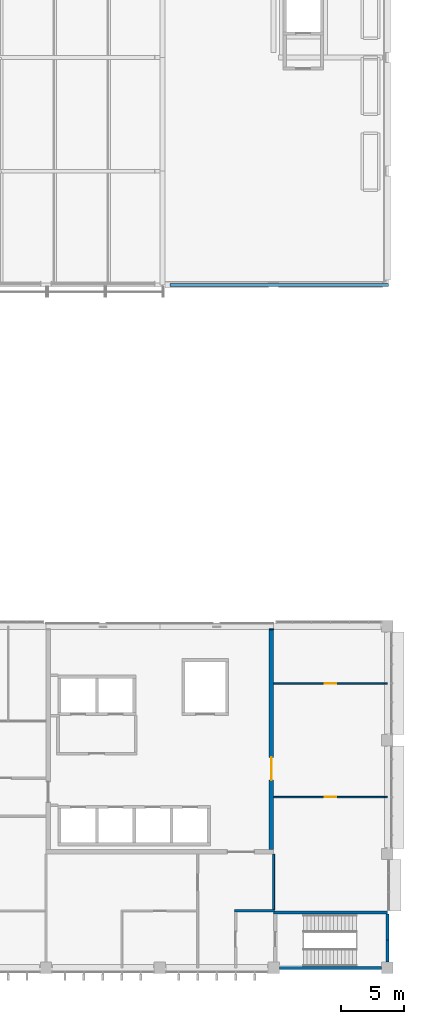
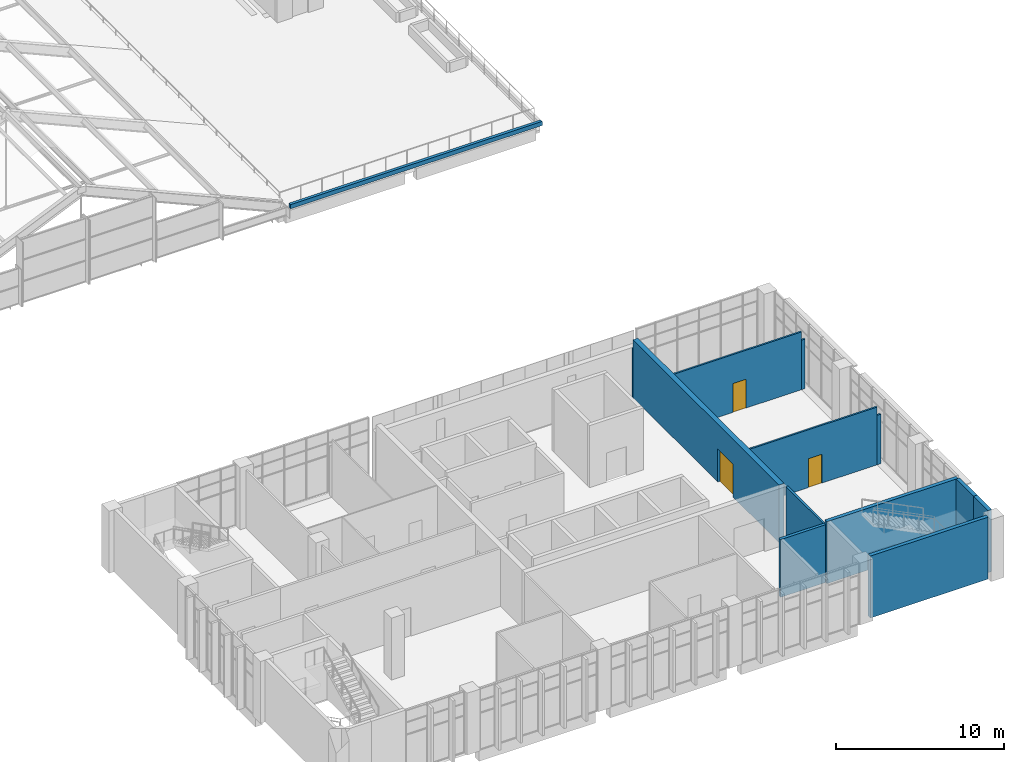
# One storey, part 78 of 106: 13 walls, 3 doors, 3 openings.
"""IFC4 building model written with IfcOpenShell, lengths in metres."""

import ifcopenshell
import ifcopenshell.guid

model = None  # the IFC model being written
_history = None  # IfcOwnerHistory: only IFC2X3 demands one
_inside = {}  # id of a spatial element -> (the spatial element, [elements in it])
_under = {}  # id of a project, library or spatial element -> (it, [spatial elements below it])
_declared = {}  # id of a project -> (the project, [libraries it declares])
_typed = {}  # id of a type object -> (the type object, [elements of that type])
_made_of = {}  # id of a material, layer set ... -> (it, [elements and type objects made of it])


def new_model(schema):
    """Start an empty IFC model of exactly this schema.

    Asked for "IFC4X3", IfcOpenShell would pick the latest addendum, in which some entities
    have other attributes; the version numbers below select the first issue.
    IFC2X3 requires an IfcOwnerHistory on every rooted entity: one is made here for all.
    """
    global model, _history
    if schema == "IFC4X3":
        model = ifcopenshell.file(schema_version=(4, 3, 0, 0))
    else:
        model = ifcopenshell.file(schema=schema)
    _inside.clear()
    _under.clear()
    _declared.clear()
    _typed.clear()
    _made_of.clear()
    _history = None
    if model.schema == "IFC2X3":
        org = make("IfcOrganization", Name="unknown")
        user = make(
            "IfcPersonAndOrganization",
            ThePerson=make("IfcPerson", FamilyName="unknown"),
            TheOrganization=org,
        )
        app = make(
            "IfcApplication",
            ApplicationDeveloper=org,
            Version="unknown",
            ApplicationFullName="unknown",
            ApplicationIdentifier="unknown",
        )
        _history = make(
            "IfcOwnerHistory",
            OwningUser=user,
            OwningApplication=app,
            ChangeAction="ADDED",
            CreationDate=0,
        )
    return model


def make(cls, **values):
    """One entity of the class cls with the attributes given. An attribute that is None is left unset."""
    return model.create_entity(
        cls, **{name: value for name, value in values.items() if value is not None}
    )


def rooted(cls, **values):
    """An entity with a GlobalId (a new one), such as an element, a storey or a relation."""
    return make(cls, GlobalId=ifcopenshell.guid.new(), OwnerHistory=_history, **values)


def si_unit(unit_type, name, prefix=None):
    """IfcSIUnit, for example si_unit("LENGTHUNIT", "METRE", prefix="MILLI")."""
    return make("IfcSIUnit", UnitType=unit_type, Prefix=prefix, Name=name)


def assignment(units):
    """IfcUnitAssignment: the units of a project."""
    return None if units is None else make("IfcUnitAssignment", Units=units)


def point(xyz):
    """IfcCartesianPoint."""
    return None if xyz is None else make("IfcCartesianPoint", Coordinates=xyz)


def direction(xyz):
    """IfcDirection."""
    return None if xyz is None else make("IfcDirection", DirectionRatios=xyz)


def frame(location, z_axis=None, x_axis=None):
    """IfcAxis2Placement3D, a coordinate frame: its origin and axes. An axis left out is left unset."""
    return make(
        "IfcAxis2Placement3D",
        Location=point(location),
        Axis=direction(z_axis),
        RefDirection=direction(x_axis),
    )


def frame_2d(location, x_axis=None):
    """IfcAxis2Placement2D, a coordinate frame in the plane: its origin and x axis."""
    return make(
        "IfcAxis2Placement2D", Location=point(location), RefDirection=direction(x_axis)
    )


def origin():
    """The frame at (0, 0, 0) with its axes left unset."""
    return frame((0.0, 0.0, 0.0))


def place(relative_to, where):
    """IfcLocalPlacement: puts the frame where relative to a parent placement (None: the world)."""
    return make(
        "IfcLocalPlacement", PlacementRelTo=relative_to, RelativePlacement=where
    )


def context(
    kind, dimensions, precision=None, world=None, true_north=None, identifier=None
):
    """IfcGeometricRepresentationContext, for example the 3D "Model" context."""
    return make(
        "IfcGeometricRepresentationContext",
        ContextIdentifier=identifier,
        ContextType=kind,
        CoordinateSpaceDimension=dimensions,
        Precision=precision,
        WorldCoordinateSystem=world,
        TrueNorth=true_north,
    )


def subcontext(parent, identifier, kind, view, scale=None):
    """IfcGeometricRepresentationSubContext, for example "Body" below "Model"."""
    return make(
        "IfcGeometricRepresentationSubContext",
        ContextIdentifier=identifier,
        ContextType=kind,
        ParentContext=parent,
        TargetScale=scale,
        TargetView=view,
    )


def project(units=None, contexts=None):
    """IfcProject with its units and contexts."""
    return rooted(
        "IfcProject",
        Name="project",
        RepresentationContexts=contexts,
        UnitsInContext=assignment(units),
    )


def spatial(cls, under=None, at=None, **own):
    """A site, building, storey or space (cls), placed at a placement, below another one or the project."""
    s = rooted(cls, ObjectPlacement=at, **own)
    if under is not None:
        _under.setdefault(under.id(), (under, []))[1].append(s)
    return s


def profile(cls, at=None, kind="AREA", **sizes):
    """A parametric profile (cls). Its sizes go by their IFC names, for example OverallWidth=200.0."""
    return make(cls, ProfileType=kind, Position=at, **sizes)


def rectangle(**sizes):
    """IfcRectangleProfileDef."""
    return profile("IfcRectangleProfileDef", **sizes)


def extrude(swept, where, along, depth):
    """IfcExtrudedAreaSolid: the profile swept, set in the frame where, extruded along a direction by depth."""
    return make(
        "IfcExtrudedAreaSolid",
        SweptArea=swept,
        Position=where,
        ExtrudedDirection=direction(along),
        Depth=depth,
    )


def shape(context_of_items, identifier, shape_type, items):
    """IfcShapeRepresentation: the items that make up one representation, for example the "Body"."""
    return make(
        "IfcShapeRepresentation",
        ContextOfItems=context_of_items,
        RepresentationIdentifier=identifier,
        RepresentationType=shape_type,
        Items=items,
    )


def material(Name=None, Category=None):
    """IfcMaterial."""
    return make("IfcMaterial", Name=Name, Category=Category)


def layer(
    of_material, thickness, ventilated=None, Name=None, Category=None, Priority=None
):
    """IfcMaterialLayer: one layer of a wall or slab, of a material (None: an air gap)."""
    return make(
        "IfcMaterialLayer",
        Material=of_material,
        LayerThickness=thickness,
        IsVentilated=ventilated,
        Name=Name,
        Category=Category,
        Priority=Priority,
    )


def layer_set(layers, Name=None):
    """IfcMaterialLayerSet."""
    return make("IfcMaterialLayerSet", MaterialLayers=layers, LayerSetName=Name)


def made_of(thing, what):
    """Note that an element or type object is made of a material, layer set ...; save() writes the relation."""
    if what is not None:
        _made_of.setdefault(what.id(), (what, []))[1].append(thing)
    return thing


def type_object(cls, material=None, **own):
    """A type object (cls), such as IfcWallType, which elements share."""
    return made_of(rooted(cls, **own), material)


def element(
    cls,
    number,
    at=None,
    inside=None,
    cuts=None,
    type_object=None,
    material=None,
    context=None,
    identifier="Body",
    shape_type=None,
    held_by="IfcProductDefinitionShape",
    body=None,
    shapes=None,
    **own,
):
    """One element of the class cls, such as IfcWall. Its Tag is "e" and its number.

    at: its placement. inside: the storey or other place that contains it. cuts: it is an
    opening in that element (IfcRelVoidsElement). A single representation is given by context,
    identifier, shape_type and body (its items); several are given by shapes. held_by: the class
    of the entity that holds the representations. save() writes the other relations.
    """
    e = rooted(cls, Tag="e%d" % number, ObjectPlacement=at, **own)
    if body is not None:
        shapes = [shape(context, identifier, shape_type, body)]
    if shapes is not None:
        e.Representation = make(held_by, Representations=shapes)
    if inside is not None:
        _inside.setdefault(inside.id(), (inside, []))[1].append(e)
    if cuts is not None:
        rooted(
            "IfcRelVoidsElement", RelatingBuildingElement=cuts, RelatedOpeningElement=e
        )
    if type_object is not None:
        _typed.setdefault(type_object.id(), (type_object, []))[1].append(e)
    return made_of(e, material)


def fill(opening, filler):
    """IfcRelFillsElement: the door or window that sits in an opening."""
    return rooted(
        "IfcRelFillsElement",
        RelatingOpeningElement=opening,
        RelatedBuildingElement=filler,
    )


def aggregate(whole, parts):
    """IfcRelAggregates: a whole, such as a stair, and the parts it consists of."""
    return rooted("IfcRelAggregates", RelatingObject=whole, RelatedObjects=parts)


def save(model, path):
    """Write the relations noted so far, then the file.

    IfcRelAggregates (storeys below a building ...), IfcRelContainedInSpatialStructure (elements
    in a storey), IfcRelDefinesByType, IfcRelAssociatesMaterial and IfcRelDeclares: one each for
    every whole, place, type object, material and project.
    """
    for whole, parts in _under.values():
        aggregate(whole, parts)
    for where, things in _inside.values():
        rooted(
            "IfcRelContainedInSpatialStructure",
            RelatedElements=things,
            RelatingStructure=where,
        )
    for kind, things in _typed.values():
        rooted("IfcRelDefinesByType", RelatedObjects=things, RelatingType=kind)
    for what, things in _made_of.values():
        rooted("IfcRelAssociatesMaterial", RelatedObjects=things, RelatingMaterial=what)
    for by, libraries in _declared.values():
        rooted("IfcRelDeclares", RelatingContext=by, RelatedDefinitions=libraries)
    model.write(path)


model = new_model("IFC4")

# Units and contexts
model_context = context("Model", 3, precision=1e-05, world=origin(), true_north=direction((0.0, 1.0)))
body_context = subcontext(model_context, "Body", "Model", "MODEL_VIEW")
ifc_project = project(units=[si_unit("LENGTHUNIT", "METRE"), si_unit("AREAUNIT", "SQUARE_METRE"), si_unit("VOLUMEUNIT", "CUBIC_METRE"), si_unit("PLANEANGLEUNIT", "RADIAN"), si_unit("MASSUNIT", "GRAM", prefix="KILO")], contexts=[model_context])

# Site, building, storey
site_placement = place(None, origin())
site = spatial("IfcSite", under=ifc_project, at=site_placement, CompositionType="ELEMENT")
building_placement = place(site_placement, origin())
building = spatial("IfcBuilding", under=site, at=building_placement, Name="Guidao Yard Department Store", CompositionType="ELEMENT")
storey_placement = place(building_placement, frame((0.0, 0.0, 10.5)))
storey = spatial("IfcBuildingStorey", under=building, at=storey_placement, Name="L02", CompositionType="ELEMENT", Elevation=10.5)

# Wall
ifc_material_1 = material(Name="Gypsum Board")
ifc_layer_1 = layer(ifc_material_1, 0.14990234375)
ifc_layer_set_1 = layer_set([ifc_layer_1], Name="Corridor Partition 150 Gypsum Board EI 60")
wall_type_1 = type_object("IfcWallType", Name="Corridor Partition 150 Gypsum Board EI 60", PredefinedType="PARTITIONING", material=ifc_layer_set_1)
wall_1_placement = place(storey_placement, frame((162.0, 4.60009765625, 0.0), z_axis=(0.0, 0.0, 1.0), x_axis=(0.0, 1.0, 0.0)))
element("IfcWall", 1, at=wall_1_placement, inside=storey, type_object=wall_type_1, Name="pt.wall.L02.0031", PredefinedType="PARTITIONING", context=body_context, shape_type="SweptSolid", body=[
    extrude(rectangle(XDim=4.39990234375, YDim=0.14990234375, at=frame_2d((2.199951171875, 0.0))), origin(), (0.0, 0.0, 1.0), 4.199951171875),
])

# Wall, opening, door
ifc_material_2 = material(Name="Gypsum Board")
ifc_layer_2 = layer(ifc_material_2, 0.1201171875)
ifc_layer_set_2 = layer_set([ifc_layer_2], Name="Partition 120 Gypsum Board EI 45")
wall_type_2 = type_object("IfcWallType", Name="Partition 120 Gypsum Board EI 45", PredefinedType="PARTITIONING", material=ifc_layer_set_2)
wall_2_placement = place(storey_placement, frame((162.0, 13.5, 0.0), z_axis=(0.0, 0.0, 1.0), x_axis=(1.0, 0.0, 0.0)))
wall_2 = element("IfcWall", 2, at=wall_2_placement, inside=storey, type_object=wall_type_2, Name="pt.wall.L02.0008", PredefinedType="PARTITIONING", context=body_context, shape_type="SweptSolid", body=[
    extrude(rectangle(XDim=8.75, YDim=0.1201171875, at=frame_2d((4.375, 0.0))), origin(), (0.0, 0.0, 1.0), 4.199951171875),
])
opening_1_placement = place(wall_2_placement, frame((4.050048828125, 0.0, 0.0)))
opening_1 = element("IfcOpeningElement", 3, at=opening_1_placement, cuts=wall_2, Name="Opening L02-416", PredefinedType="OPENING", context=body_context, shape_type="SweptSolid", body=[
    extrude(rectangle(XDim=0.89990234375, YDim=2.10009765625, at=frame_2d((0.449951171875, 1.050048828125))), frame((0.0, 0.070068359375, 0.0), z_axis=(0.0, -1.0, 0.0), x_axis=(1.0, 0.0, 0.0)), (0.0, 0.0, 1.0), 0.14013671875),
])
ifc_material_3 = material(Name="Timber door leaf with Steel Q235 frame", Category="steel")
door_type_1 = type_object("IfcDoorType", Name="Door 900 x 2100 NOT RATED Single Leaf", OperationType="SINGLE_SWING_LEFT", PredefinedType="DOOR", material=ifc_material_3)
door_1_placement = place(opening_1_placement, origin())
door_1 = element("IfcDoor", 4, at=door_1_placement, inside=storey, type_object=door_type_1, Name="Door L02-416", OperationType="SINGLE_SWING_RIGHT", OverallHeight=2.10009765625, OverallWidth=0.89990234375, PredefinedType="DOOR", context=body_context, shape_type="SweptSolid", body=[
    extrude(rectangle(XDim=0.89990234375, YDim=2.10009765625, at=frame_2d((0.449951171875, 1.050048828125))), frame((0.0, 0.02490234375, 0.0), z_axis=(0.0, -1.0, 0.0), x_axis=(1.0, 0.0, 0.0)), (0.0, 0.0, 1.0), 0.050048828125),
])
fill(opening_1, door_1)

# Wall
wall_3_placement = place(storey_placement, frame((170.75, 13.5, 0.0), z_axis=(0.0, 0.0, 1.0), x_axis=(1.0, 0.0, 0.0)))
element("IfcWall", 5, at=wall_3_placement, inside=storey, type_object=wall_type_2, Name="pt.wall.L02.0008a", PredefinedType="PARTITIONING", context=body_context, shape_type="SweptSolid", body=[
    extrude(rectangle(XDim=0.25, YDim=0.1201171875, at=frame_2d((0.125, 0.0))), origin(), (0.0, 0.0, 1.0), 3.60009765625),
])

# Wall, opening, door
wall_4_placement = place(storey_placement, frame((162.0, 22.5, 0.0), z_axis=(0.0, 0.0, 1.0), x_axis=(1.0, 0.0, 0.0)))
wall_4 = element("IfcWall", 6, at=wall_4_placement, inside=storey, type_object=wall_type_2, Name="pt.wall.L02.0014", PredefinedType="PARTITIONING", context=body_context, shape_type="SweptSolid", body=[
    extrude(rectangle(XDim=8.75, YDim=0.1201171875, at=frame_2d((4.375, 0.0))), origin(), (0.0, 0.0, 1.0), 4.199951171875),
])
opening_2_placement = place(wall_4_placement, frame((4.050048828125, 0.0, 0.0)))
opening_2 = element("IfcOpeningElement", 7, at=opening_2_placement, cuts=wall_4, Name="Opening L02-417", PredefinedType="OPENING", context=body_context, shape_type="SweptSolid", body=[
    extrude(rectangle(XDim=0.89990234375, YDim=2.10009765625, at=frame_2d((0.449951171875, 1.050048828125))), frame((0.0, 0.070068359375, 0.0), z_axis=(0.0, -1.0, 0.0), x_axis=(1.0, 0.0, 0.0)), (0.0, 0.0, 1.0), 0.14013671875),
])
door_2_placement = place(opening_2_placement, origin())
door_2 = element("IfcDoor", 8, at=door_2_placement, inside=storey, type_object=door_type_1, Name="Door L02-417", OperationType="SINGLE_SWING_RIGHT", OverallHeight=2.10009765625, OverallWidth=0.89990234375, PredefinedType="DOOR", context=body_context, shape_type="SweptSolid", body=[
    extrude(rectangle(XDim=0.89990234375, YDim=2.10009765625, at=frame_2d((0.449951171875, 1.050048828125))), frame((0.0, 0.02490234375, 0.0), z_axis=(0.0, -1.0, 0.0), x_axis=(1.0, 0.0, 0.0)), (0.0, 0.0, 1.0), 0.050048828125),
])
fill(opening_2, door_2)

# Walls
wall_5_placement = place(storey_placement, frame((170.75, 22.5, 0.0), z_axis=(0.0, 0.0, 1.0), x_axis=(1.0, 0.0, 0.0)))
element("IfcWall", 9, at=wall_5_placement, inside=storey, type_object=wall_type_2, Name="pt.wall.L02.0014a", PredefinedType="PARTITIONING", context=body_context, shape_type="SweptSolid", body=[
    extrude(rectangle(XDim=0.25, YDim=0.1201171875, at=frame_2d((0.125, 0.0))), origin(), (0.0, 0.0, 1.0), 3.60009765625),
])
ifc_material_4 = material(Name="Concrete C30", Category="concrete")
ifc_layer_3 = layer(ifc_material_4, 0.199951171875)
ifc_layer_set_3 = layer_set([ifc_layer_3], Name="Roof edge kerb 200 C30")
wall_type_3 = type_object("IfcWallType", Name="Roof edge kerb 200 C30", PredefinedType="PARAPET", material=ifc_layer_set_3)
wall_6_placement = place(storey_placement, frame((153.800048828125, 54.0, 0.0), z_axis=(0.0, 0.0, 1.0), x_axis=(1.0, 0.0, 0.0)))
element("IfcWall", 10, at=wall_6_placement, inside=storey, type_object=wall_type_3, Name="Roof edge kerb", PredefinedType="PARAPET", context=body_context, shape_type="SweptSolid", body=[
    extrude(rectangle(XDim=17.300048828125, YDim=0.199951171875, at=frame_2d((8.64990234375, 0.0))), origin(), (0.0, 0.0, 1.0), 0.300048828125),
])
ifc_material_5 = material(Name="Autoclaved aerated concrete block A3.5 B06", Category="concrete")
ifc_layer_4 = layer(ifc_material_5, 0.199951171875)
ifc_layer_set_4 = layer_set([ifc_layer_4], Name="Shaft Wall 200 Autoclaved Block EI 120")
wall_type_4 = type_object("IfcWallType", Name="Shaft Wall 200 Autoclaved Block EI 120", PredefinedType="PARTITIONING", material=ifc_layer_set_4)
wall_7_placement = place(storey_placement, frame((158.89990234375, 4.5, 0.0), z_axis=(0.0, 0.0, 1.0), x_axis=(1.0, 0.0, 0.0)))
element("IfcWall", 11, at=wall_7_placement, inside=storey, type_object=wall_type_4, Name="pt.wall.L02.0003", PredefinedType="PARTITIONING", context=body_context, shape_type="SweptSolid", body=[
    extrude(rectangle(XDim=3.175048828125, YDim=0.199951171875, at=frame_2d((1.58740234375, 0.0))), origin(), (0.0, 0.0, 1.0), 4.199951171875),
])

# Wall, opening, door
ifc_material_6 = material(Name="Concrete C50", Category="concrete")
ifc_layer_5 = layer(ifc_material_6, 0.35009765625)
ifc_layer_set_5 = layer_set([ifc_layer_5], Name="Shear Wall 350 Concrete C50")
wall_type_5 = type_object("IfcWallType", Name="Shear Wall 350 Concrete C50", PredefinedType="SHEAR", material=ifc_layer_set_5)
wall_8_placement = place(storey_placement, frame((161.824951171875, 9.35009765625, 0.0), z_axis=(0.0, 0.0, 1.0), x_axis=(0.0, 1.0, 0.0)))
wall_8 = element("IfcWall", 12, at=wall_8_placement, inside=storey, type_object=wall_type_5, Name="pt.wall.L02.0030", PredefinedType="SHEAR", context=body_context, shape_type="SweptSolid", body=[
    extrude(rectangle(XDim=17.39990234375, YDim=0.35009765625, at=frame_2d((8.699951171875, 0.0))), origin(), (0.0, 0.0, 1.0), 4.199951171875),
])
opening_3_placement = place(wall_8_placement, frame((7.300048828125, 0.0, 0.0), z_axis=(0.0, 0.0, 1.0), x_axis=(-1.0, 0.0, 0.0)))
opening_3 = element("IfcOpeningElement", 13, at=opening_3_placement, cuts=wall_8, Name="Opening L02-405", PredefinedType="OPENING", context=body_context, shape_type="SweptSolid", body=[
    extrude(rectangle(XDim=1.800048828125, YDim=2.39990234375, at=frame_2d((0.89990234375, 1.199951171875))), frame((0.0, 0.18505859375, 0.0), z_axis=(0.0, -1.0, 0.0), x_axis=(1.0, 0.0, 0.0)), (0.0, 0.0, 1.0), 0.3701171875),
])
ifc_material_7 = material(Name="Timber door leaf with Steel Q235 frame", Category="steel")
door_type_2 = type_object("IfcDoorType", Name="Door 1800 x 2400 FD60 Double Leaf", OperationType="DOUBLE_DOOR_SINGLE_SWING", PredefinedType="DOOR", material=ifc_material_7)
door_3_placement = place(opening_3_placement, origin())
door_3 = element("IfcDoor", 14, at=door_3_placement, inside=storey, type_object=door_type_2, Name="Door L02-405", OperationType="DOUBLE_DOOR_SINGLE_SWING", OverallHeight=2.39990234375, OverallWidth=1.800048828125, PredefinedType="DOOR", context=body_context, shape_type="SweptSolid", body=[
    extrude(rectangle(XDim=1.800048828125, YDim=2.39990234375, at=frame_2d((0.89990234375, 1.199951171875))), frame((0.0, 0.02490234375, 0.0), z_axis=(0.0, -1.0, 0.0), x_axis=(1.0, 0.0, 0.0)), (0.0, 0.0, 1.0), 0.050048828125),
])
fill(opening_3, door_3)

# Walls
wall_9_placement = place(storey_placement, frame((161.824951171875, 26.75, 0.0), z_axis=(0.0, 0.0, 1.0), x_axis=(0.0, 1.0, 0.0)))
element("IfcWall", 15, at=wall_9_placement, inside=storey, type_object=wall_type_5, Name="pt.wall.L02.0030a", PredefinedType="SHEAR", context=body_context, shape_type="SweptSolid", body=[
    extrude(rectangle(XDim=0.074951171875, YDim=0.35009765625, at=frame_2d((0.03759765625, 0.0))), origin(), (0.0, 0.0, 1.0), 3.60009765625),
])
ifc_material_8 = material(Name="Concrete C40", Category="concrete")
ifc_layer_6 = layer(ifc_material_8, 0.25)
ifc_layer_set_6 = layer_set([ifc_layer_6], Name="Wall RC 250 C40 stair and shaft")
wall_type_6 = type_object("IfcWallType", Name="Wall RC 250 C40 stair and shaft", PredefinedType="SHEAR", material=ifc_layer_set_6)
wall_10_placement = place(storey_placement, frame((162.449951171875, 0.0, 0.0), z_axis=(0.0, 0.0, 1.0), x_axis=(1.0, 0.0, 0.0)))
element("IfcWall", 16, at=wall_10_placement, inside=storey, type_object=wall_type_6, Name="Stair wall SO2", PredefinedType="SHEAR", context=body_context, shape_type="SweptSolid", body=[
    extrude(rectangle(XDim=8.10009765625, YDim=0.25, at=frame_2d((4.050048828125, 0.0))), origin(), (0.0, 0.0, 1.0), 4.5),
])
wall_11_placement = place(storey_placement, frame((162.0, 4.375, 0.0), z_axis=(0.0, 0.0, 1.0), x_axis=(1.0, 0.0, 0.0)))
element("IfcWall", 17, at=wall_11_placement, inside=storey, type_object=wall_type_6, Name="Stair wall SO2", PredefinedType="SHEAR", context=body_context, shape_type="SweptSolid", body=[
    extrude(rectangle(XDim=9.0, YDim=0.25, at=frame_2d((4.5, 0.0))), origin(), (0.0, 0.0, 1.0), 4.5),
])
wall_12_placement = place(storey_placement, frame((171.0, 0.449951171875, 0.0), z_axis=(0.0, 0.0, 1.0), x_axis=(0.0, 1.0, 0.0)))
element("IfcWall", 18, at=wall_12_placement, inside=storey, type_object=wall_type_6, Name="Stair wall SO2", PredefinedType="SHEAR", context=body_context, shape_type="SweptSolid", body=[
    extrude(rectangle(XDim=1.738037109375, YDim=0.25, at=frame_2d((0.869140625, 0.0))), origin(), (0.0, 0.0, 1.0), 4.5),
])
wall_13_placement = place(storey_placement, frame((171.0, 2.18798828125, 0.0), z_axis=(0.0, 0.0, 1.0), x_axis=(0.0, 1.0, 0.0)))
element("IfcWall", 19, at=wall_13_placement, inside=storey, type_object=wall_type_6, Name="Stair wall SO2", PredefinedType="SHEAR", context=body_context, shape_type="SweptSolid", body=[
    extrude(rectangle(XDim=2.06201171875, YDim=0.25, at=frame_2d((1.031005859375, 0.0))), origin(), (0.0, 0.0, 1.0), 4.5),
])

save(model, "model.ifc")
